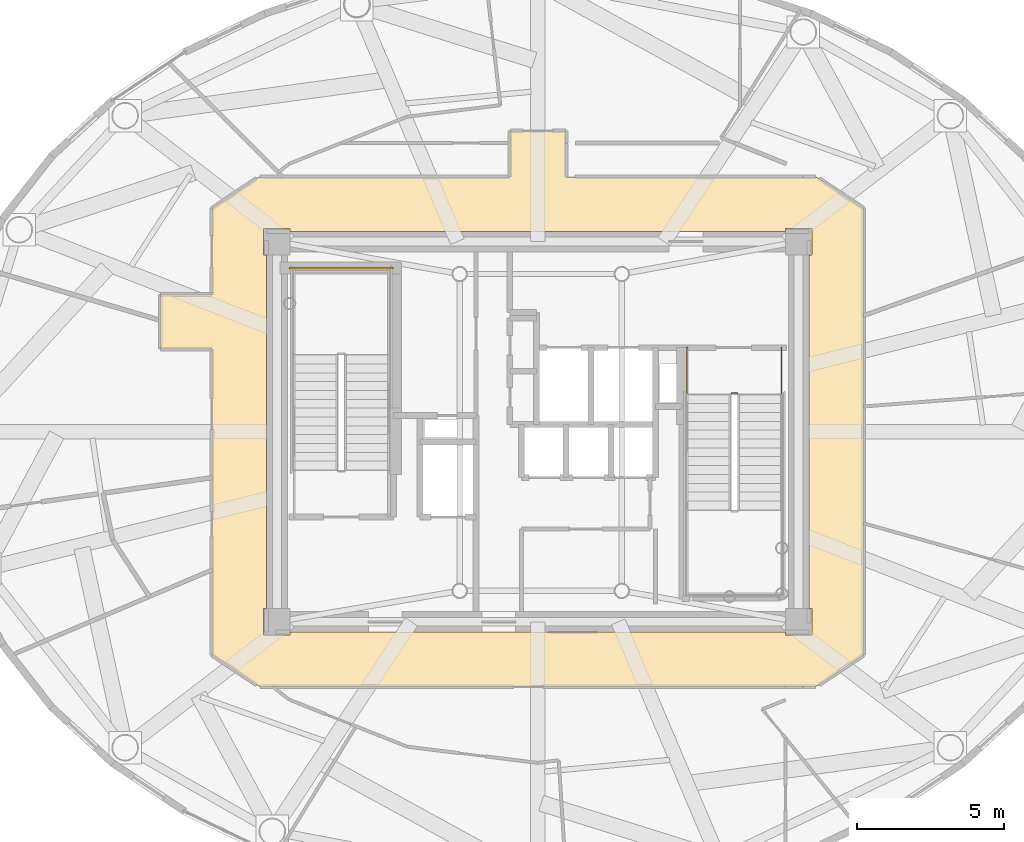
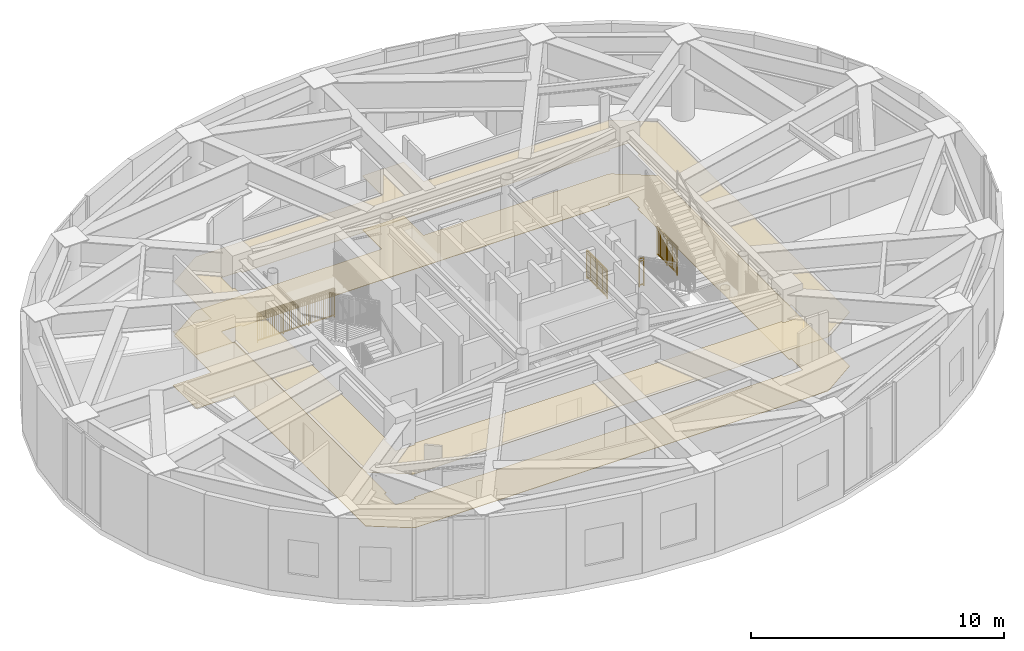
# One storey, part 23 of 23: 4 railings, 2 coverings.
"""IFC4 building model written with IfcOpenShell, lengths in metres."""

from ifc_helpers import new_model, si_unit, direction, frame, origin, origin_2d, place, context, subcontext, project, spatial, polyline, rectangle, outline, extrude, source, transform, mapped, material, layer, layer_set, type_object, element, save


model = new_model("IFC4")

# Units and contexts
model_context = context("Model", 3, precision=1e-05, world=origin(), true_north=direction((0.0, 1.0)))
body_context = subcontext(model_context, "Body", "Model", "MODEL_VIEW")
ifc_project = project(units=[si_unit("LENGTHUNIT", "METRE"), si_unit("AREAUNIT", "SQUARE_METRE"), si_unit("VOLUMEUNIT", "CUBIC_METRE"), si_unit("PLANEANGLEUNIT", "RADIAN"), si_unit("MASSUNIT", "GRAM", prefix="KILO")], contexts=[model_context])

# Site, building, storey
site_placement = place(None, origin())
site = spatial("IfcSite", under=ifc_project, at=site_placement, CompositionType="ELEMENT")
building_placement = place(site_placement, origin())
building = spatial("IfcBuilding", under=site, at=building_placement, Name="Linh Dai School and Residence Tower", CompositionType="ELEMENT")
storey_placement = place(building_placement, frame((0.0, 0.0, 359.39990234375)))
storey = spatial("IfcBuildingStorey", under=building, at=storey_placement, Name="L89", CompositionType="ELEMENT", Elevation=359.39990234375)

# Coverings
ifc_material_1 = material(Name="Mineral Fibre Acoustic Suspended Ceiling", Category="masonry")
ifc_layer_1 = layer(ifc_material_1, 0.02001953125)
ifc_layer_set_1 = layer_set([ifc_layer_1], Name="Mineral Fibre Acoustic Suspended Ceiling")
covering_type_1 = type_object("IfcCoveringType", Name="COV-CEIL-AC-20", PredefinedType="CEILING", material=ifc_layer_set_1)
covering_1_placement = place(storey_placement, frame((0.0, 0.0, 2.60009765625)))
element("IfcCovering", 1, at=covering_1_placement, inside=storey, type_object=covering_type_1, Name="L89 Residential Floor Corridor Suspended Ceiling", PredefinedType="CEILING", context=body_context, shape_type="SweptSolid", body=[
    extrude(outline(polyline([(23.199951171875, 31.64990234375), (24.949951171875, 31.64990234375), (24.949951171875, 34.58251953125), (26.458740234375, 35.591796875), (26.580078125, 35.64990234375), (35.050048828125, 35.64990234375), (35.050048828125, 37.199951171875), (36.949951171875, 37.199951171875), (36.949951171875, 35.64990234375), (45.419921875, 35.64990234375), (45.541259765625, 35.591796875), (47.050048828125, 34.58251953125), (47.050048828125, 19.41748046875), (45.541259765625, 18.408203125), (45.419921875, 18.35009765625), (26.580078125, 18.35009765625), (26.458740234375, 18.408203125), (24.949951171875, 19.41748046875), (24.949951171875, 29.800048828125), (23.199951171875, 29.800048828125), (23.199951171875, 31.64990234375)]), holes=[polyline([(27.60009765625, 33.800048828125), (27.60009765625, 33.89990234375), (26.699951171875, 33.89990234375), (26.699951171875, 33.0), (26.800048828125, 33.0), (26.800048828125, 21.0), (26.699951171875, 21.0), (26.699951171875, 20.10009765625), (27.60009765625, 20.10009765625), (27.60009765625, 20.199951171875), (44.39990234375, 20.199951171875), (44.39990234375, 20.10009765625), (45.300048828125, 20.10009765625), (45.300048828125, 21.0), (45.199951171875, 21.0), (45.199951171875, 33.0), (45.300048828125, 33.0), (45.300048828125, 33.89990234375), (44.39990234375, 33.89990234375), (44.39990234375, 33.800048828125), (27.60009765625, 33.800048828125)])]), origin(), (0.0, 0.0, 1.0), 0.02001953125),
])
ifc_material_2 = material(Name="Polished Terrazzo Floor Finish", Category="masonry")
ifc_layer_2 = layer(ifc_material_2, 0.02490234375)
ifc_layer_set_2 = layer_set([ifc_layer_2], Name="Polished Terrazzo Floor Finish")
covering_type_2 = type_object("IfcCoveringType", Name="COV-FLR-TRZ-25", PredefinedType="FLOORING", material=ifc_layer_set_2)
covering_2_placement = place(storey_placement, origin())
element("IfcCovering", 2, at=covering_2_placement, inside=storey, type_object=covering_type_2, Name="L89 Residential Floor Corridor Floor Finish", PredefinedType="FLOORING", context=body_context, shape_type="SweptSolid", body=[
    extrude(outline(polyline([(23.199951171875, 31.64990234375), (24.949951171875, 31.64990234375), (24.949951171875, 34.58251953125), (26.458740234375, 35.591796875), (26.580078125, 35.64990234375), (35.050048828125, 35.64990234375), (35.050048828125, 37.199951171875), (36.949951171875, 37.199951171875), (36.949951171875, 35.64990234375), (45.419921875, 35.64990234375), (45.541259765625, 35.591796875), (47.050048828125, 34.58251953125), (47.050048828125, 19.41748046875), (45.541259765625, 18.408203125), (45.419921875, 18.35009765625), (26.580078125, 18.35009765625), (26.458740234375, 18.408203125), (24.949951171875, 19.41748046875), (24.949951171875, 29.800048828125), (23.199951171875, 29.800048828125), (23.199951171875, 31.64990234375)]), holes=[polyline([(27.60009765625, 33.800048828125), (27.60009765625, 33.89990234375), (26.699951171875, 33.89990234375), (26.699951171875, 33.0), (26.800048828125, 33.0), (26.800048828125, 21.0), (26.699951171875, 21.0), (26.699951171875, 20.10009765625), (27.60009765625, 20.10009765625), (27.60009765625, 20.199951171875), (44.39990234375, 20.199951171875), (44.39990234375, 20.10009765625), (45.300048828125, 20.10009765625), (45.300048828125, 21.0), (45.199951171875, 21.0), (45.199951171875, 33.0), (45.300048828125, 33.0), (45.300048828125, 33.89990234375), (44.39990234375, 33.89990234375), (44.39990234375, 33.800048828125), (27.60009765625, 33.800048828125)])]), origin(), (0.0, 0.0, 1.0), 0.02001953125),
])

# Railings
ifc_material_3 = material(Name="Structural Steel S355JR", Category="steel")
railing_type = type_object("IfcRailingType", Name="RL-ST-GUARD-1400", PredefinedType="GUARDRAIL", material=ifc_material_3)
shared_shape_1 = source(origin(), body_context, "Body", "SweptSolid", [
    extrude(rectangle(XDim=0.048095703125, YDim=0.048095703125, at=origin_2d()), frame((0.0, 0.0, 1.3759765625), z_axis=(-1.0, 0.0, 0.0), x_axis=(0.0, -1.0, 0.0)), (0.0, 0.0, 1.0), 3.5),
    extrude(rectangle(XDim=0.048095703125, YDim=0.048095703125, at=origin_2d()), frame((0.0, 0.0, 0.10009765625), z_axis=(-1.0, 0.0, 0.0), x_axis=(0.0, -1.0, 0.0)), (0.0, 0.0, 1.0), 3.5),
    extrude(rectangle(XDim=0.030029296875, YDim=0.030029296875, at=origin_2d()), frame((0.0, 0.0, 1.239990234375), z_axis=(-1.0, 0.0, 0.0), x_axis=(0.0, -1.0, 0.0)), (0.0, 0.0, 1.0), 3.5),
    extrude(rectangle(XDim=0.02001953125, YDim=0.02001953125, at=origin_2d()), frame((-0.09716796875, 0.0, 0.10009765625)), (0.0, 0.0, 1.0), 1.251708984375),
    extrude(rectangle(XDim=0.02001953125, YDim=0.02001953125, at=origin_2d()), frame((-0.1943359375, 0.0, 0.10009765625)), (0.0, 0.0, 1.0), 1.251708984375),
    extrude(rectangle(XDim=0.02001953125, YDim=0.02001953125, at=origin_2d()), frame((-0.291748046875, 0.0, 0.10009765625)), (0.0, 0.0, 1.0), 1.251708984375),
    extrude(rectangle(XDim=0.02001953125, YDim=0.02001953125, at=origin_2d()), frame((-0.388916015625, 0.0, 0.10009765625)), (0.0, 0.0, 1.0), 1.251708984375),
    extrude(rectangle(XDim=0.02001953125, YDim=0.02001953125, at=origin_2d()), frame((-0.486083984375, 0.0, 0.10009765625)), (0.0, 0.0, 1.0), 1.251708984375),
    extrude(rectangle(XDim=0.02001953125, YDim=0.02001953125, at=origin_2d()), frame((-0.583251953125, 0.0, 0.10009765625)), (0.0, 0.0, 1.0), 1.251708984375),
    extrude(rectangle(XDim=0.02001953125, YDim=0.02001953125, at=origin_2d()), frame((-0.6806640625, 0.0, 0.10009765625)), (0.0, 0.0, 1.0), 1.251708984375),
    extrude(rectangle(XDim=0.02001953125, YDim=0.02001953125, at=origin_2d()), frame((-0.77783203125, 0.0, 0.10009765625)), (0.0, 0.0, 1.0), 1.251708984375),
    extrude(rectangle(XDim=0.02001953125, YDim=0.02001953125, at=origin_2d()), frame((-0.875, 0.0, 0.10009765625)), (0.0, 0.0, 1.0), 1.251708984375),
    extrude(rectangle(XDim=0.02001953125, YDim=0.02001953125, at=origin_2d()), frame((-0.97216796875, 0.0, 0.10009765625)), (0.0, 0.0, 1.0), 1.251708984375),
    extrude(rectangle(XDim=0.02001953125, YDim=0.02001953125, at=origin_2d()), frame((-1.0693359375, 0.0, 0.10009765625)), (0.0, 0.0, 1.0), 1.251708984375),
    extrude(rectangle(XDim=0.02001953125, YDim=0.02001953125, at=origin_2d()), frame((-1.263916015625, 0.0, 0.10009765625)), (0.0, 0.0, 1.0), 1.251708984375),
    extrude(rectangle(XDim=0.02001953125, YDim=0.02001953125, at=origin_2d()), frame((-1.361083984375, 0.0, 0.10009765625)), (0.0, 0.0, 1.0), 1.251708984375),
    extrude(rectangle(XDim=0.02001953125, YDim=0.02001953125, at=origin_2d()), frame((-1.458251953125, 0.0, 0.10009765625)), (0.0, 0.0, 1.0), 1.251708984375),
    extrude(rectangle(XDim=0.02001953125, YDim=0.02001953125, at=origin_2d()), frame((-1.5556640625, 0.0, 0.10009765625)), (0.0, 0.0, 1.0), 1.251708984375),
    extrude(rectangle(XDim=0.02001953125, YDim=0.02001953125, at=origin_2d()), frame((-1.65283203125, 0.0, 0.10009765625)), (0.0, 0.0, 1.0), 1.251708984375),
    extrude(rectangle(XDim=0.02001953125, YDim=0.02001953125, at=origin_2d()), frame((-1.75, 0.0, 0.10009765625)), (0.0, 0.0, 1.0), 1.251708984375),
    extrude(rectangle(XDim=0.02001953125, YDim=0.02001953125, at=origin_2d()), frame((-1.84716796875, 0.0, 0.10009765625)), (0.0, 0.0, 1.0), 1.251708984375),
    extrude(rectangle(XDim=0.02001953125, YDim=0.02001953125, at=origin_2d()), frame((-1.9443359375, 0.0, 0.10009765625)), (0.0, 0.0, 1.0), 1.251708984375),
    extrude(rectangle(XDim=0.02001953125, YDim=0.02001953125, at=origin_2d()), frame((-2.041748046875, 0.0, 0.10009765625)), (0.0, 0.0, 1.0), 1.251708984375),
    extrude(rectangle(XDim=0.02001953125, YDim=0.02001953125, at=origin_2d()), frame((-2.138916015625, 0.0, 0.10009765625)), (0.0, 0.0, 1.0), 1.251708984375),
    extrude(rectangle(XDim=0.02001953125, YDim=0.02001953125, at=origin_2d()), frame((-2.236083984375, 0.0, 0.10009765625)), (0.0, 0.0, 1.0), 1.251708984375),
    extrude(rectangle(XDim=0.02001953125, YDim=0.02001953125, at=origin_2d()), frame((-2.4306640625, 0.0, 0.10009765625)), (0.0, 0.0, 1.0), 1.251708984375),
    extrude(rectangle(XDim=0.02001953125, YDim=0.02001953125, at=origin_2d()), frame((-2.52783203125, 0.0, 0.10009765625)), (0.0, 0.0, 1.0), 1.251708984375),
    extrude(rectangle(XDim=0.02001953125, YDim=0.02001953125, at=origin_2d()), frame((-2.625, 0.0, 0.10009765625)), (0.0, 0.0, 1.0), 1.251708984375),
    extrude(rectangle(XDim=0.02001953125, YDim=0.02001953125, at=origin_2d()), frame((-2.72216796875, 0.0, 0.10009765625)), (0.0, 0.0, 1.0), 1.251708984375),
    extrude(rectangle(XDim=0.02001953125, YDim=0.02001953125, at=origin_2d()), frame((-2.8193359375, 0.0, 0.10009765625)), (0.0, 0.0, 1.0), 1.251708984375),
    extrude(rectangle(XDim=0.02001953125, YDim=0.02001953125, at=origin_2d()), frame((-2.916748046875, 0.0, 0.10009765625)), (0.0, 0.0, 1.0), 1.251708984375),
    extrude(rectangle(XDim=0.02001953125, YDim=0.02001953125, at=origin_2d()), frame((-3.013916015625, 0.0, 0.10009765625)), (0.0, 0.0, 1.0), 1.251708984375),
    extrude(rectangle(XDim=0.02001953125, YDim=0.02001953125, at=origin_2d()), frame((-3.111083984375, 0.0, 0.10009765625)), (0.0, 0.0, 1.0), 1.251708984375),
    extrude(rectangle(XDim=0.02001953125, YDim=0.02001953125, at=origin_2d()), frame((-3.208251953125, 0.0, 0.10009765625)), (0.0, 0.0, 1.0), 1.251708984375),
    extrude(rectangle(XDim=0.02001953125, YDim=0.02001953125, at=origin_2d()), frame((-3.3056640625, 0.0, 0.10009765625)), (0.0, 0.0, 1.0), 1.251708984375),
    extrude(rectangle(XDim=0.02001953125, YDim=0.02001953125, at=origin_2d()), frame((-3.40283203125, 0.0, 0.10009765625)), (0.0, 0.0, 1.0), 1.251708984375),
    extrude(rectangle(XDim=0.0419921875, YDim=0.0419921875, at=origin_2d()), origin(), (0.0, 0.0, 1.0), 1.3759765625),
    extrude(rectangle(XDim=0.0419921875, YDim=0.0419921875, at=origin_2d()), frame((-1.166748046875, 0.0, 0.0)), (0.0, 0.0, 1.0), 1.3759765625),
    extrude(rectangle(XDim=0.0419921875, YDim=0.0419921875, at=origin_2d()), frame((-2.333251953125, 0.0, 0.0)), (0.0, 0.0, 1.0), 1.3759765625),
    extrude(rectangle(XDim=0.0419921875, YDim=0.0419921875, at=origin_2d()), frame((-3.5, 0.0, 0.0)), (0.0, 0.0, 1.0), 1.3759765625),
])
railing_1_placement = place(storey_placement, frame((31.080078125, 32.550048828125, 0.0)))
element("IfcRailing", 3, at=railing_1_placement, inside=storey, type_object=railing_type, Name="L89 ST1 stair guard 12", PredefinedType="GUARDRAIL", context=body_context, shape_type="MappedRepresentation", body=[
    mapped(shared_shape_1, transform((0.0, 0.0, 0.0), x_axis=(1.0, 0.0, 0.0), y_axis=(0.0, 1.0, 0.0), z_axis=(0.0, 0.0, 1.0), scale=1.0)),
])
shared_shape_2 = source(origin(), body_context, "Body", "SweptSolid", [
    extrude(rectangle(XDim=0.048095703125, YDim=0.048095703125, at=origin_2d()), frame((0.0, 0.0, 1.3759765625), z_axis=(1.0, 0.0, 0.0), x_axis=(0.0, 1.0, 0.0)), (0.0, 0.0, 1.0), 0.199951171875),
    extrude(rectangle(XDim=0.048095703125, YDim=0.048095703125, at=origin_2d()), frame((0.0, 0.0, 0.10009765625), z_axis=(1.0, 0.0, 0.0), x_axis=(0.0, 1.0, 0.0)), (0.0, 0.0, 1.0), 0.199951171875),
    extrude(rectangle(XDim=0.030029296875, YDim=0.030029296875, at=origin_2d()), frame((0.0, 0.0, 1.239990234375), z_axis=(1.0, 0.0, 0.0), x_axis=(0.0, 1.0, 0.0)), (0.0, 0.0, 1.0), 0.199951171875),
    extrude(rectangle(XDim=0.0419921875, YDim=0.0419921875, at=origin_2d()), origin(), (0.0, 0.0, 1.0), 1.3759765625),
    extrude(rectangle(XDim=0.0419921875, YDim=0.0419921875, at=origin_2d()), frame((0.199951171875, 0.0, 0.0)), (0.0, 0.0, 1.0), 1.3759765625),
])
railing_2_placement = place(storey_placement, frame((42.570068359375, 28.300048828125, 0.0)))
element("IfcRailing", 4, at=railing_2_placement, inside=storey, type_object=railing_type, Name="L89 ST2 stair guard 7", PredefinedType="GUARDRAIL", context=body_context, shape_type="MappedRepresentation", body=[
    mapped(shared_shape_2, transform((0.0, 0.0, 0.0), x_axis=(1.0, 0.0, 0.0), y_axis=(0.0, 1.0, 0.0), z_axis=(0.0, 0.0, 1.0), scale=1.0)),
])
shared_shape_3 = source(origin(), body_context, "Body", "SweptSolid", [
    extrude(rectangle(XDim=0.048095703125, YDim=0.048095703125, at=origin_2d()), frame((0.0, 0.0, 1.3759765625), z_axis=(0.0, -1.0, 0.0), x_axis=(1.0, 0.0, 0.0)), (0.0, 0.0, 1.0), 1.60009765625),
    extrude(rectangle(XDim=0.048095703125, YDim=0.048095703125, at=origin_2d()), frame((0.0, 0.0, 0.10009765625), z_axis=(0.0, -1.0, 0.0), x_axis=(1.0, 0.0, 0.0)), (0.0, 0.0, 1.0), 1.60009765625),
    extrude(rectangle(XDim=0.030029296875, YDim=0.030029296875, at=origin_2d()), frame((0.0, 0.0, 1.239990234375), z_axis=(0.0, -1.0, 0.0), x_axis=(1.0, 0.0, 0.0)), (0.0, 0.0, 1.0), 1.60009765625),
    extrude(rectangle(XDim=0.02001953125, YDim=0.02001953125, at=origin_2d()), frame((0.0, -0.09423828125, 0.10009765625)), (0.0, 0.0, 1.0), 1.251708984375),
    extrude(rectangle(XDim=0.02001953125, YDim=0.02001953125, at=origin_2d()), frame((0.0, -0.188232421875, 0.10009765625)), (0.0, 0.0, 1.0), 1.251708984375),
    extrude(rectangle(XDim=0.02001953125, YDim=0.02001953125, at=origin_2d()), frame((0.0, -0.282470703125, 0.10009765625)), (0.0, 0.0, 1.0), 1.251708984375),
    extrude(rectangle(XDim=0.02001953125, YDim=0.02001953125, at=origin_2d()), frame((0.0, -0.37646484375, 0.10009765625)), (0.0, 0.0, 1.0), 1.251708984375),
    extrude(rectangle(XDim=0.02001953125, YDim=0.02001953125, at=origin_2d()), frame((0.0, -0.470703125, 0.10009765625)), (0.0, 0.0, 1.0), 1.251708984375),
    extrude(rectangle(XDim=0.02001953125, YDim=0.02001953125, at=origin_2d()), frame((0.0, -0.564697265625, 0.10009765625)), (0.0, 0.0, 1.0), 1.251708984375),
    extrude(rectangle(XDim=0.02001953125, YDim=0.02001953125, at=origin_2d()), frame((0.0, -0.658935546875, 0.10009765625)), (0.0, 0.0, 1.0), 1.251708984375),
    extrude(rectangle(XDim=0.02001953125, YDim=0.02001953125, at=origin_2d()), frame((0.0, -0.7529296875, 0.10009765625)), (0.0, 0.0, 1.0), 1.251708984375),
    extrude(rectangle(XDim=0.02001953125, YDim=0.02001953125, at=origin_2d()), frame((0.0, -0.84716796875, 0.10009765625)), (0.0, 0.0, 1.0), 1.251708984375),
    extrude(rectangle(XDim=0.02001953125, YDim=0.02001953125, at=origin_2d()), frame((0.0, -0.941162109375, 0.10009765625)), (0.0, 0.0, 1.0), 1.251708984375),
    extrude(rectangle(XDim=0.02001953125, YDim=0.02001953125, at=origin_2d()), frame((0.0, -1.035400390625, 0.10009765625)), (0.0, 0.0, 1.0), 1.251708984375),
    extrude(rectangle(XDim=0.02001953125, YDim=0.02001953125, at=origin_2d()), frame((0.0, -1.12939453125, 0.10009765625)), (0.0, 0.0, 1.0), 1.251708984375),
    extrude(rectangle(XDim=0.02001953125, YDim=0.02001953125, at=origin_2d()), frame((0.0, -1.2236328125, 0.10009765625)), (0.0, 0.0, 1.0), 1.251708984375),
    extrude(rectangle(XDim=0.02001953125, YDim=0.02001953125, at=origin_2d()), frame((0.0, -1.317626953125, 0.10009765625)), (0.0, 0.0, 1.0), 1.251708984375),
    extrude(rectangle(XDim=0.02001953125, YDim=0.02001953125, at=origin_2d()), frame((0.0, -1.411865234375, 0.10009765625)), (0.0, 0.0, 1.0), 1.251708984375),
    extrude(rectangle(XDim=0.02001953125, YDim=0.02001953125, at=origin_2d()), frame((0.0, -1.505859375, 0.10009765625)), (0.0, 0.0, 1.0), 1.251708984375),
    extrude(rectangle(XDim=0.0419921875, YDim=0.0419921875, at=origin_2d()), origin(), (0.0, 0.0, 1.0), 1.3759765625),
    extrude(rectangle(XDim=0.0419921875, YDim=0.0419921875, at=origin_2d()), frame((0.0, -0.800048828125, 0.0)), (0.0, 0.0, 1.0), 1.3759765625),
    extrude(rectangle(XDim=0.0419921875, YDim=0.0419921875, at=origin_2d()), frame((0.0, -1.60009765625, 0.0)), (0.0, 0.0, 1.0), 1.3759765625),
])
for number, where, name in (
    (5, (41.070068359375, 29.85009765625, 0.0), "L89 ST2 stair guard 8"),
    (6, (44.27001953125, 29.85009765625, 0.0), "L89 ST2 stair guard 9"),
):
    element("IfcRailing", number, at=place(storey_placement, frame(where)), inside=storey, type_object=railing_type, Name=name, PredefinedType="GUARDRAIL", context=body_context, shape_type="MappedRepresentation", body=[
        mapped(shared_shape_3, transform((0.0, 0.0, 0.0), x_axis=(1.0, 0.0, 0.0), y_axis=(0.0, 1.0, 0.0), z_axis=(0.0, 0.0, 1.0), scale=1.0)),
    ])

save(model, "model.ifc")
